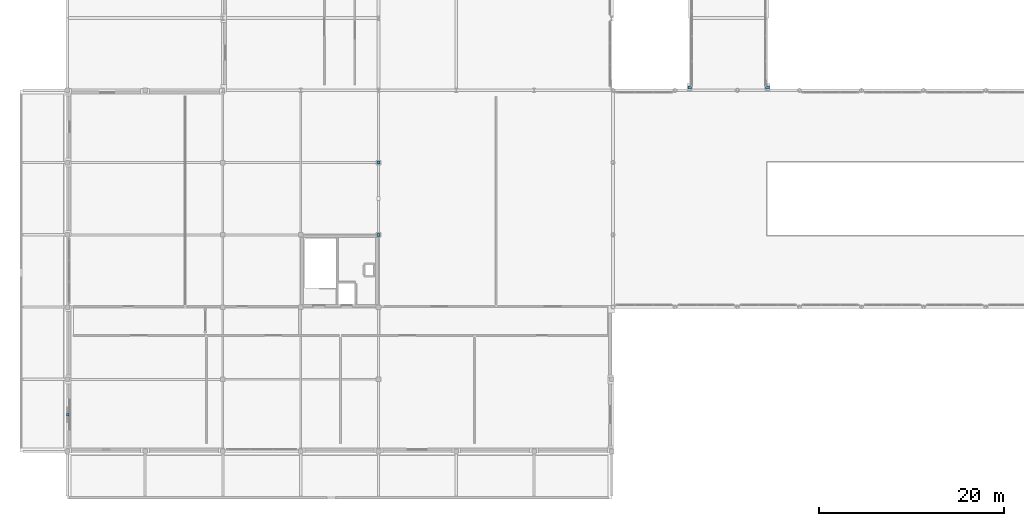
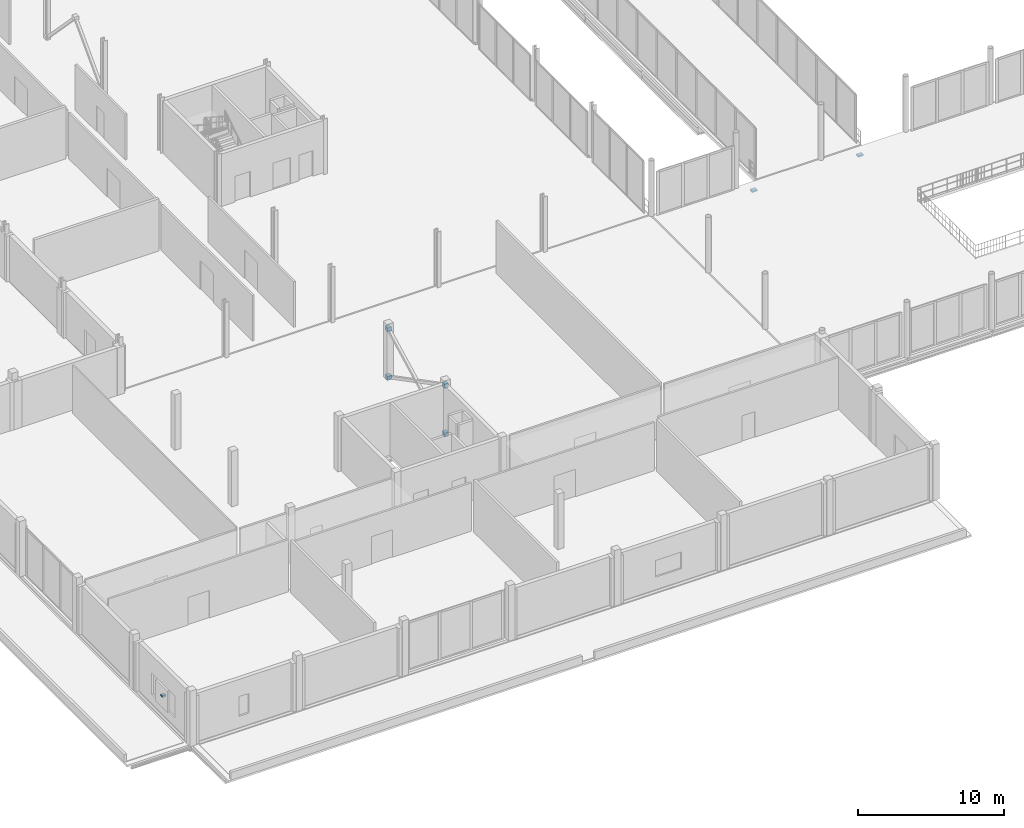
# One storey, part 80 of 98: 7 discrete accessories.
"""IFC4 building model written with IfcOpenShell, lengths in metres."""

import ifcopenshell
import ifcopenshell.guid

model = None  # the IFC model being written
_history = None  # IfcOwnerHistory: only IFC2X3 demands one
_inside = {}  # id of a spatial element -> (the spatial element, [elements in it])
_under = {}  # id of a project, library or spatial element -> (it, [spatial elements below it])
_declared = {}  # id of a project -> (the project, [libraries it declares])
_typed = {}  # id of a type object -> (the type object, [elements of that type])
_made_of = {}  # id of a material, layer set ... -> (it, [elements and type objects made of it])


def new_model(schema):
    """Start an empty IFC model of exactly this schema.

    Asked for "IFC4X3", IfcOpenShell would pick the latest addendum, in which some entities
    have other attributes; the version numbers below select the first issue.
    IFC2X3 requires an IfcOwnerHistory on every rooted entity: one is made here for all.
    """
    global model, _history
    if schema == "IFC4X3":
        model = ifcopenshell.file(schema_version=(4, 3, 0, 0))
    else:
        model = ifcopenshell.file(schema=schema)
    _inside.clear()
    _under.clear()
    _declared.clear()
    _typed.clear()
    _made_of.clear()
    _history = None
    if model.schema == "IFC2X3":
        org = make("IfcOrganization", Name="unknown")
        user = make(
            "IfcPersonAndOrganization",
            ThePerson=make("IfcPerson", FamilyName="unknown"),
            TheOrganization=org,
        )
        app = make(
            "IfcApplication",
            ApplicationDeveloper=org,
            Version="unknown",
            ApplicationFullName="unknown",
            ApplicationIdentifier="unknown",
        )
        _history = make(
            "IfcOwnerHistory",
            OwningUser=user,
            OwningApplication=app,
            ChangeAction="ADDED",
            CreationDate=0,
        )
    return model


def make(cls, **values):
    """One entity of the class cls with the attributes given. An attribute that is None is left unset."""
    return model.create_entity(
        cls, **{name: value for name, value in values.items() if value is not None}
    )


def rooted(cls, **values):
    """An entity with a GlobalId (a new one), such as an element, a storey or a relation."""
    return make(cls, GlobalId=ifcopenshell.guid.new(), OwnerHistory=_history, **values)


def si_unit(unit_type, name, prefix=None):
    """IfcSIUnit, for example si_unit("LENGTHUNIT", "METRE", prefix="MILLI")."""
    return make("IfcSIUnit", UnitType=unit_type, Prefix=prefix, Name=name)


def assignment(units):
    """IfcUnitAssignment: the units of a project."""
    return None if units is None else make("IfcUnitAssignment", Units=units)


def point(xyz):
    """IfcCartesianPoint."""
    return None if xyz is None else make("IfcCartesianPoint", Coordinates=xyz)


def direction(xyz):
    """IfcDirection."""
    return None if xyz is None else make("IfcDirection", DirectionRatios=xyz)


def frame(location, z_axis=None, x_axis=None):
    """IfcAxis2Placement3D, a coordinate frame: its origin and axes. An axis left out is left unset."""
    return make(
        "IfcAxis2Placement3D",
        Location=point(location),
        Axis=direction(z_axis),
        RefDirection=direction(x_axis),
    )


def frame_2d(location, x_axis=None):
    """IfcAxis2Placement2D, a coordinate frame in the plane: its origin and x axis."""
    return make(
        "IfcAxis2Placement2D", Location=point(location), RefDirection=direction(x_axis)
    )


def origin():
    """The frame at (0, 0, 0) with its axes left unset."""
    return frame((0.0, 0.0, 0.0))


def origin_2d():
    """The frame at (0, 0) in the plane with its x axis left unset."""
    return frame_2d((0.0, 0.0))


def place(relative_to, where):
    """IfcLocalPlacement: puts the frame where relative to a parent placement (None: the world)."""
    return make(
        "IfcLocalPlacement", PlacementRelTo=relative_to, RelativePlacement=where
    )


def context(
    kind, dimensions, precision=None, world=None, true_north=None, identifier=None
):
    """IfcGeometricRepresentationContext, for example the 3D "Model" context."""
    return make(
        "IfcGeometricRepresentationContext",
        ContextIdentifier=identifier,
        ContextType=kind,
        CoordinateSpaceDimension=dimensions,
        Precision=precision,
        WorldCoordinateSystem=world,
        TrueNorth=true_north,
    )


def subcontext(parent, identifier, kind, view, scale=None):
    """IfcGeometricRepresentationSubContext, for example "Body" below "Model"."""
    return make(
        "IfcGeometricRepresentationSubContext",
        ContextIdentifier=identifier,
        ContextType=kind,
        ParentContext=parent,
        TargetScale=scale,
        TargetView=view,
    )


def project(units=None, contexts=None):
    """IfcProject with its units and contexts."""
    return rooted(
        "IfcProject",
        Name="project",
        RepresentationContexts=contexts,
        UnitsInContext=assignment(units),
    )


def spatial(cls, under=None, at=None, **own):
    """A site, building, storey or space (cls), placed at a placement, below another one or the project."""
    s = rooted(cls, ObjectPlacement=at, **own)
    if under is not None:
        _under.setdefault(under.id(), (under, []))[1].append(s)
    return s


def profile(cls, at=None, kind="AREA", **sizes):
    """A parametric profile (cls). Its sizes go by their IFC names, for example OverallWidth=200.0."""
    return make(cls, ProfileType=kind, Position=at, **sizes)


def rectangle(**sizes):
    """IfcRectangleProfileDef."""
    return profile("IfcRectangleProfileDef", **sizes)


def extrude(swept, where, along, depth):
    """IfcExtrudedAreaSolid: the profile swept, set in the frame where, extruded along a direction by depth."""
    return make(
        "IfcExtrudedAreaSolid",
        SweptArea=swept,
        Position=where,
        ExtrudedDirection=direction(along),
        Depth=depth,
    )


def shape(context_of_items, identifier, shape_type, items):
    """IfcShapeRepresentation: the items that make up one representation, for example the "Body"."""
    return make(
        "IfcShapeRepresentation",
        ContextOfItems=context_of_items,
        RepresentationIdentifier=identifier,
        RepresentationType=shape_type,
        Items=items,
    )


def material(Name=None, Category=None):
    """IfcMaterial."""
    return make("IfcMaterial", Name=Name, Category=Category)


def layer(
    of_material, thickness, ventilated=None, Name=None, Category=None, Priority=None
):
    """IfcMaterialLayer: one layer of a wall or slab, of a material (None: an air gap)."""
    return make(
        "IfcMaterialLayer",
        Material=of_material,
        LayerThickness=thickness,
        IsVentilated=ventilated,
        Name=Name,
        Category=Category,
        Priority=Priority,
    )


def layer_set(layers, Name=None):
    """IfcMaterialLayerSet."""
    return make("IfcMaterialLayerSet", MaterialLayers=layers, LayerSetName=Name)


def made_of(thing, what):
    """Note that an element or type object is made of a material, layer set ...; save() writes the relation."""
    if what is not None:
        _made_of.setdefault(what.id(), (what, []))[1].append(thing)
    return thing


def type_object(cls, material=None, **own):
    """A type object (cls), such as IfcWallType, which elements share."""
    return made_of(rooted(cls, **own), material)


def element(
    cls,
    number,
    at=None,
    inside=None,
    cuts=None,
    type_object=None,
    material=None,
    context=None,
    identifier="Body",
    shape_type=None,
    held_by="IfcProductDefinitionShape",
    body=None,
    shapes=None,
    **own,
):
    """One element of the class cls, such as IfcWall. Its Tag is "e" and its number.

    at: its placement. inside: the storey or other place that contains it. cuts: it is an
    opening in that element (IfcRelVoidsElement). A single representation is given by context,
    identifier, shape_type and body (its items); several are given by shapes. held_by: the class
    of the entity that holds the representations. save() writes the other relations.
    """
    e = rooted(cls, Tag="e%d" % number, ObjectPlacement=at, **own)
    if body is not None:
        shapes = [shape(context, identifier, shape_type, body)]
    if shapes is not None:
        e.Representation = make(held_by, Representations=shapes)
    if inside is not None:
        _inside.setdefault(inside.id(), (inside, []))[1].append(e)
    if cuts is not None:
        rooted(
            "IfcRelVoidsElement", RelatingBuildingElement=cuts, RelatedOpeningElement=e
        )
    if type_object is not None:
        _typed.setdefault(type_object.id(), (type_object, []))[1].append(e)
    return made_of(e, material)


def aggregate(whole, parts):
    """IfcRelAggregates: a whole, such as a stair, and the parts it consists of."""
    return rooted("IfcRelAggregates", RelatingObject=whole, RelatedObjects=parts)


def save(model, path):
    """Write the relations noted so far, then the file.

    IfcRelAggregates (storeys below a building ...), IfcRelContainedInSpatialStructure (elements
    in a storey), IfcRelDefinesByType, IfcRelAssociatesMaterial and IfcRelDeclares: one each for
    every whole, place, type object, material and project.
    """
    for whole, parts in _under.values():
        aggregate(whole, parts)
    for where, things in _inside.values():
        rooted(
            "IfcRelContainedInSpatialStructure",
            RelatedElements=things,
            RelatingStructure=where,
        )
    for kind, things in _typed.values():
        rooted("IfcRelDefinesByType", RelatedObjects=things, RelatingType=kind)
    for what, things in _made_of.values():
        rooted("IfcRelAssociatesMaterial", RelatedObjects=things, RelatingMaterial=what)
    for by, libraries in _declared.values():
        rooted("IfcRelDeclares", RelatingContext=by, RelatedDefinitions=libraries)
    model.write(path)


model = new_model("IFC4")

# Units and contexts
model_context = context("Model", 3, precision=1e-05, world=origin(), true_north=direction((0.0, 1.0)))
body_context = subcontext(model_context, "Body", "Model", "MODEL_VIEW")
ifc_project = project(units=[si_unit("LENGTHUNIT", "METRE"), si_unit("AREAUNIT", "SQUARE_METRE"), si_unit("VOLUMEUNIT", "CUBIC_METRE"), si_unit("PLANEANGLEUNIT", "RADIAN"), si_unit("MASSUNIT", "GRAM", prefix="KILO")], contexts=[model_context])

# Site, building, storey
site_placement = place(None, origin())
site = spatial("IfcSite", under=ifc_project, at=site_placement, CompositionType="ELEMENT")
building_placement = place(site_placement, origin())
building = spatial("IfcBuilding", under=site, at=building_placement, Name="Nabrawat Pavilion Hospital", CompositionType="ELEMENT")
storey_placement = place(building_placement, frame((0.0, 0.0, 10.199951171875)))
storey = spatial("IfcBuildingStorey", under=building, at=storey_placement, Name="L02", CompositionType="ELEMENT", Elevation=10.199951171875)

# Discrete accessories
ifc_material = material(Name="Steel S355", Category="steel")
ifc_layer_1 = layer(ifc_material, 0.02001953125, Name="Steel S355")
ifc_layer_set_1 = layer_set([ifc_layer_1], Name="Steel S355")
discrete_accessory_type_1 = type_object("IfcDiscreteAccessoryType", Name="Brace and Strut Gusset End Bracket 20", PredefinedType="BRACKET", material=ifc_layer_set_1)
for number, where, z_axis, x_axis, name in (
    (1, (33.60009765625, 23.39990234375, -0.1201171875), (0.0, 0.0, 1.0), (1.0, 0.0, 0.0), "L02 Brace and Strut Gusset End Connection 0013"),
    (2, (33.60009765625, 31.199951171875, 3.93017578125), (0.0, 0.0, 1.0), (1.0, 0.0, 0.0), "L02 Brace and Strut Gusset End Connection 0014"),
    (3, (33.60009765625, 23.39990234375, 3.93017578125), (0.0, 0.0, 1.0), (1.0, 0.0, 0.0), "L02 Brace and Strut Gusset End Connection 0015"),
    (4, (33.60009765625, 31.199951171875, -0.1201171875), (0.0, 0.0, 1.0), (1.0, 0.0, 0.0), "L02 Brace and Strut Gusset End Connection 0016"),
):
    element("IfcDiscreteAccessory", number, at=place(storey_placement, frame(where, z_axis=z_axis, x_axis=x_axis)), inside=storey, type_object=discrete_accessory_type_1, Name=name, PredefinedType="BRACKET", context=body_context, shape_type="SweptSolid", body=[
        extrude(rectangle(XDim=0.340087890625, YDim=0.340087890625, at=origin_2d()), origin(), (0.0, 0.0, 1.0), 0.340087890625),
    ])
ifc_layer_2 = layer(ifc_material, 0.159912109375, Name="Steel S355")
ifc_layer_set_2 = layer_set([ifc_layer_2], Name="Steel S355")
discrete_accessory_type_2 = type_object("IfcDiscreteAccessoryType", Name="Facade Shading Support Steel Bracket", PredefinedType="BRACKET", material=ifc_layer_set_2)
discrete_accessory_placement = place(storey_placement, frame((0.054931640625, 3.969970703125, 1.5703125), z_axis=(0.0, 0.0, 1.0), x_axis=(0.0, 1.0, 0.0)))
element("IfcDiscreteAccessory", 5, at=discrete_accessory_placement, inside=storey, type_object=discrete_accessory_type_2, Name="L02 Facade Shading Bracket 012", PredefinedType="BRACKET", context=body_context, shape_type="SweptSolid", body=[
    extrude(rectangle(XDim=0.239990234375, YDim=0.280029296875, at=origin_2d()), origin(), (0.0, 0.0, 1.0), 0.159912109375),
])
ifc_layer_3 = layer(ifc_material, 0.139892578125, Name="Steel S355")
ifc_layer_set_3 = layer_set([ifc_layer_3], Name="Steel S355")
discrete_accessory_type_3 = type_object("IfcDiscreteAccessoryType", Name="PTFE Elastomeric Bridge Sliding Bearing", PredefinedType="BRACKET", material=ifc_layer_set_3)
for number, where, z_axis, x_axis, name in (
    (6, (67.199951171875, 39.320068359375, -1.080078125), (0.0, 0.0, 1.0), (1.0, 0.0, 0.0), "L02 Courtyard Link Bridge PTFE Sliding Bearing S 09"),
    (7, (75.60009765625, 39.320068359375, -1.080078125), (0.0, 0.0, 1.0), (1.0, 0.0, 0.0), "L02 Courtyard Link Bridge PTFE Sliding Bearing S 11"),
):
    element("IfcDiscreteAccessory", number, at=place(storey_placement, frame(where, z_axis=z_axis, x_axis=x_axis)), inside=storey, type_object=discrete_accessory_type_3, Name=name, PredefinedType="BRACKET", context=body_context, shape_type="SweptSolid", body=[
        extrude(rectangle(XDim=0.39990234375, YDim=0.300048828125, at=origin_2d()), origin(), (0.0, 0.0, 1.0), 0.139892578125),
    ])

save(model, "model.ifc")
